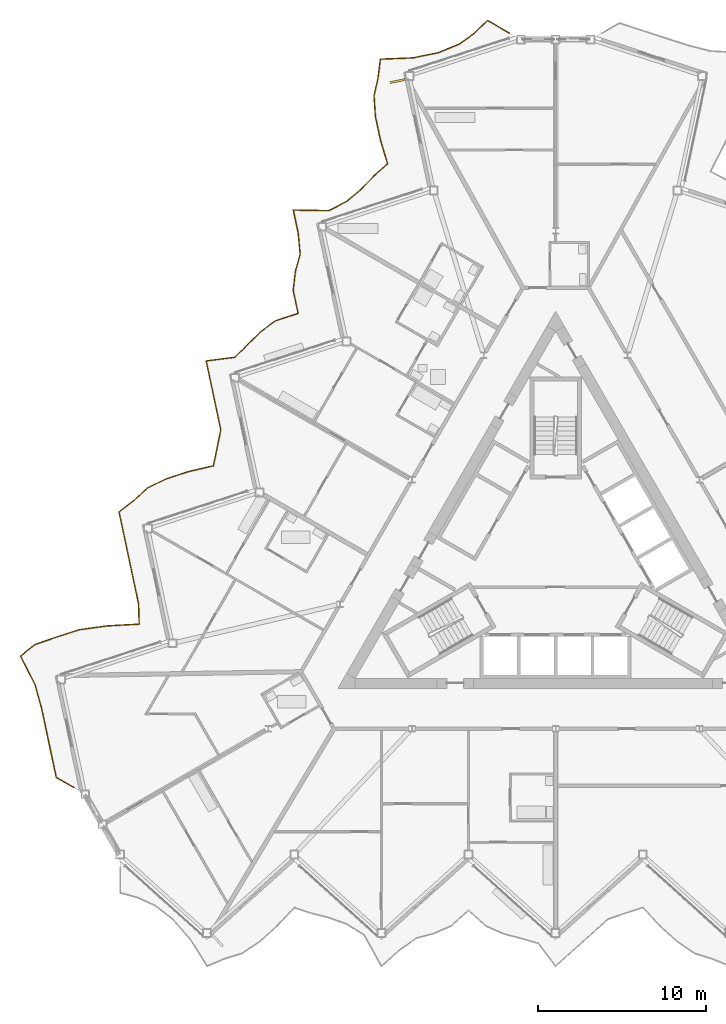
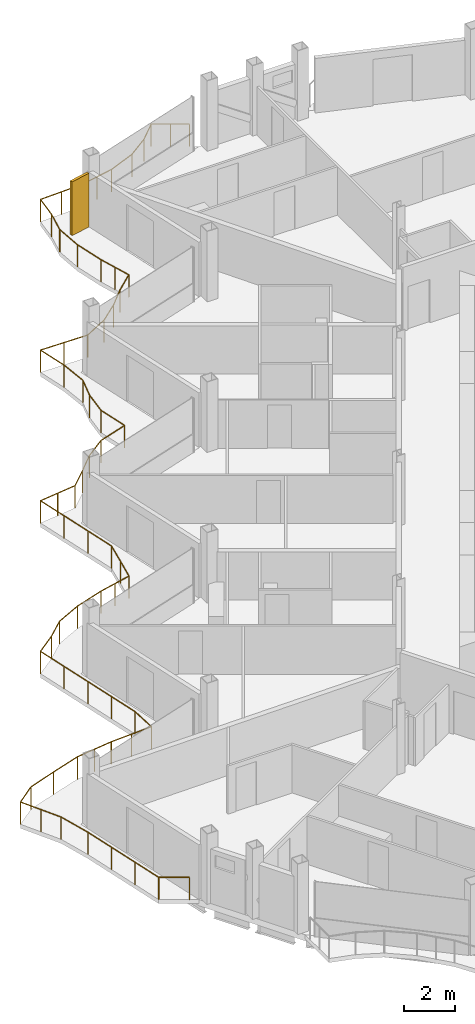
# One storey, part 24 of 26: 1 railing, 1 shading device.
"""IFC4 building model written with IfcOpenShell, lengths in metres."""

from ifc_helpers import new_model, si_unit, direction, frame, origin, origin_2d, place, context, subcontext, project, spatial, rectangle, circle, extrude, material, layer, layer_set, type_object, element, save


model = new_model("IFC4")

# Units and contexts
model_context = context("Model", 3, precision=1e-05, world=origin(), true_north=direction((0.0, 1.0)))
body_context = subcontext(model_context, "Body", "Model", "MODEL_VIEW")
ifc_project = project(units=[si_unit("LENGTHUNIT", "METRE"), si_unit("AREAUNIT", "SQUARE_METRE"), si_unit("VOLUMEUNIT", "CUBIC_METRE"), si_unit("PLANEANGLEUNIT", "RADIAN"), si_unit("MASSUNIT", "GRAM", prefix="KILO")], contexts=[model_context])

# Site, building, storey
site_placement = place(None, origin())
site = spatial("IfcSite", under=ifc_project, at=site_placement, CompositionType="ELEMENT")
building_placement = place(site_placement, origin())
building = spatial("IfcBuilding", under=site, at=building_placement, Name="Cormorant Prow Tower", CompositionType="ELEMENT")
storey_placement = place(building_placement, frame((0.0, 0.0, 388.199951171875)))
storey = spatial("IfcBuildingStorey", under=building, at=storey_placement, Name="L88", CompositionType="ELEMENT", Elevation=388.199951171875)

# Railing
ifc_material_1 = material(Name="Aluminium 6063-T6", Category="aluminium")
railing_type = type_object("IfcRailingType", Name="Balcony guard 1100", PredefinedType="GUARDRAIL", material=ifc_material_1)
railing_placement = place(storey_placement, frame((-2.752685546875, 31.611572265625, 0.0)))
element("IfcRailing", 1, at=railing_placement, inside=storey, type_object=railing_type, Name="Balcony guard WNW", PredefinedType="GUARDRAIL", context=body_context, shape_type="SweptSolid", body=[
    extrude(circle(Radius=0.02392578125, at=origin_2d()), frame((0.0, 0.0, 1.076171875), z_axis=(-0.866030456496, 0.499991248344, 0.0), x_axis=(-0.499991248344, -0.866030456496, 0.0)), (0.0, 0.0, 1.0), 1.52001953125),
    extrude(circle(Radius=0.02392578125, at=origin_2d()), frame((-1.31640625, 0.760009765625, 1.076171875), z_axis=(-0.710157290995, -0.704043054114, 0.0), x_axis=(0.704043054114, -0.710157290995, 0.0)), (0.0, 0.0, 1.0), 1.078125),
    extrude(circle(Radius=0.02392578125, at=origin_2d()), frame((-2.08203125, 0.0009765625, 1.076171875), z_axis=(-0.81488585966, -0.579621458993, 0.0), x_axis=(0.579621458993, -0.81488585966, 0.0)), (0.0, 0.0, 1.0), 1.1435546875),
    extrude(circle(Radius=0.02392578125, at=origin_2d()), frame((-3.013916015625, -0.661865234375, 1.076171875), z_axis=(-0.925200391586, -0.379478899821, 0.0), x_axis=(0.379478899821, -0.925200391586, 0.0)), (0.0, 0.0, 1.0), 1.314453125),
    extrude(circle(Radius=0.02392578125, at=origin_2d()), frame((-4.22998046875, -1.16064453125, 1.076171875), z_axis=(-0.979535760735, -0.201270200081, 0.0), x_axis=(0.201270200081, -0.979535760735, 0.0)), (0.0, 0.0, 1.0), 1.56591796875),
    extrude(circle(Radius=0.02392578125, at=origin_2d()), frame((-5.763916015625, -1.475830078125, 1.076171875), z_axis=(-0.999226169607, -0.039332708695, 0.0), x_axis=(0.039332708695, -0.999226169607, 0.0)), (0.0, 0.0, 1.0), 1.948974609375),
    extrude(circle(Radius=0.02392578125, at=origin_2d()), frame((-7.71142578125, -1.552490234375, 1.076171875), z_axis=(-0.120976497964, -0.992655371688, 0.0), x_axis=(0.992655371688, -0.120976497964, 0.0)), (0.0, 0.0, 1.0), 1.130126953125),
    extrude(circle(Radius=0.02392578125, at=origin_2d()), frame((-7.84814453125, -2.67431640625, 1.076171875), z_axis=(-0.223269557457, -0.974756741302, 0.0), x_axis=(0.974756741302, -0.223269557457, 0.0)), (0.0, 0.0, 1.0), 1.087890625),
    extrude(circle(Radius=0.02392578125, at=origin_2d()), frame((-8.091064453125, -3.73486328125, 1.076171875), z_axis=(0.066700231917, -0.9977730599, 0.0), x_axis=(0.9977730599, 0.066700231917, 0.0)), (0.0, 0.0, 1.0), 1.251708984375),
    extrude(circle(Radius=0.02392578125, at=origin_2d()), frame((-8.007568359375, -4.98388671875, 1.076171875), z_axis=(0.20777738218, -0.978176139279, 0.0), x_axis=(0.978176139279, 0.20777738218, 0.0)), (0.0, 0.0, 1.0), 1.3994140625),
    extrude(circle(Radius=0.02392578125, at=origin_2d()), frame((-7.716796875, -6.352783203125, 1.076171875), z_axis=(0.286134937078, -0.958189332952, 0.0), x_axis=(0.958189332952, 0.286134937078, 0.0)), (0.0, 0.0, 1.0), 1.514404296875),
    extrude(circle(Radius=0.02392578125, at=origin_2d()), frame((-7.283447265625, -7.803955078125, 1.076171875), z_axis=(-0.747433901023, -0.664336182668, 0.0), x_axis=(0.664336182668, -0.747433901023, 0.0)), (0.0, 0.0, 1.0), 1.095947265625),
    extrude(circle(Radius=0.02392578125, at=origin_2d()), frame((-8.1025390625, -8.531982421875, 1.076171875), z_axis=(-0.694232543676, -0.719750773047, 0.0), x_axis=(0.719750773047, -0.694232543676, 0.0)), (0.0, 0.0, 1.0), 1.071533203125),
    extrude(circle(Radius=0.02392578125, at=origin_2d()), frame((-8.846435546875, -9.30322265625, 1.076171875), z_axis=(-0.762042946586, -0.647526484059, 0.0), x_axis=(0.647526484059, -0.762042946586, 0.0)), (0.0, 0.0, 1.0), 1.104248046875),
    extrude(circle(Radius=0.02392578125, at=origin_2d()), frame((-9.68798828125, -10.018310546875, 1.076171875), z_axis=(-0.883254828522, -0.468893279855, 0.0), x_axis=(0.468893279855, -0.883254828522, 0.0)), (0.0, 0.0, 1.0), 1.226806640625),
    extrude(circle(Radius=0.02392578125, at=origin_2d()), frame((-10.771484375, -10.593505859375, 1.076171875), z_axis=(-0.999870634012, 0.016084627427, 0.0), x_axis=(-0.016084627427, -0.999870634012, 0.0)), (0.0, 0.0, 1.0), 2.14013671875),
    extrude(circle(Radius=0.02392578125, at=origin_2d()), frame((-12.911376953125, -10.55908203125, 1.076171875), z_axis=(0.207944297815, -0.978140669335, 0.0), x_axis=(0.978140669335, 0.207944297815, 0.0)), (0.0, 0.0, 1.0), 1.3994140625),
    extrude(circle(Radius=0.02392578125, at=origin_2d()), frame((-12.620361328125, -11.927978515625, 1.076171875), z_axis=(0.093969123422, -0.995575112105, 0.0), x_axis=(0.995575112105, 0.093969123422, 0.0)), (0.0, 0.0, 1.0), 1.275634765625),
    extrude(circle(Radius=0.02392578125, at=origin_2d()), frame((-12.50048828125, -13.197998046875, 1.076171875), z_axis=(-0.265768857958, -0.964036780491, 0.0), x_axis=(0.964036780491, -0.265768857958, 0.0)), (0.0, 0.0, 1.0), 1.07470703125),
    extrude(circle(Radius=0.02392578125, at=origin_2d()), frame((-12.7861328125, -14.234130859375, 1.076171875), z_axis=(-0.115278367878, -0.993333226012, 0.0), x_axis=(0.993333226012, -0.115278367878, 0.0)), (0.0, 0.0, 1.0), 1.133056640625),
    extrude(circle(Radius=0.02392578125, at=origin_2d()), frame((-12.916748046875, -15.359619140625, 1.076171875), z_axis=(0.207979786632, -0.978133124044, 0.0), x_axis=(0.978133124044, 0.207979786632, 0.0)), (0.0, 0.0, 1.0), 1.399169921875),
    extrude(circle(Radius=0.02392578125, at=origin_2d()), frame((-12.625732421875, -16.728271484375, 1.076171875), z_axis=(-0.951028941009, -0.309101849499, 0.0), x_axis=(0.309101849499, -0.951028941009, 0.0)), (0.0, 0.0, 1.0), 1.399658203125),
    extrude(circle(Radius=0.02392578125, at=origin_2d()), frame((-13.956787109375, -17.160888671875, 1.076171875), z_axis=(-0.807107706022, -0.590404226678, 0.0), x_axis=(0.590404226678, -0.807107706022, 0.0)), (0.0, 0.0, 1.0), 1.13671875),
    extrude(circle(Radius=0.02392578125, at=origin_2d()), frame((-14.874267578125, -17.83203125, 1.076171875), z_axis=(-0.702777909554, -0.711409312451, 0.0), x_axis=(0.711409312451, -0.702777909554, 0.0)), (0.0, 0.0, 1.0), 1.074951171875),
    extrude(circle(Radius=0.02392578125, at=origin_2d()), frame((-15.629638671875, -18.5966796875, 1.076171875), z_axis=(-0.71973960261, -0.694244124523, 0.0), x_axis=(0.694244124523, -0.71973960261, 0.0)), (0.0, 0.0, 1.0), 1.08203125),
    extrude(circle(Radius=0.02392578125, at=origin_2d()), frame((-16.408447265625, -19.347900390625, 1.076171875), z_axis=(-0.991921629668, -0.126852199808, 0.0), x_axis=(0.126852199808, -0.991921629668, 0.0)), (0.0, 0.0, 1.0), 1.716796875),
    extrude(circle(Radius=0.02392578125, at=origin_2d()), frame((-18.111328125, -19.565673828125, 1.076171875), z_axis=(0.207944297815, -0.978140669335, 0.0), x_axis=(0.978140669335, 0.207944297815, 0.0)), (0.0, 0.0, 1.0), 1.3994140625),
    extrude(circle(Radius=0.02392578125, at=origin_2d()), frame((-17.8203125, -20.9345703125, 1.076171875), z_axis=(0.207944297815, -0.978140669335, 0.0), x_axis=(0.978140669335, 0.207944297815, 0.0)), (0.0, 0.0, 1.0), 1.3994140625),
    extrude(circle(Radius=0.02392578125, at=origin_2d()), frame((-17.529296875, -22.303466796875, 1.076171875), z_axis=(0.20777738218, -0.978176139279, 0.0), x_axis=(0.978176139279, 0.20777738218, 0.0)), (0.0, 0.0, 1.0), 1.3994140625),
    extrude(circle(Radius=0.02392578125, at=origin_2d()), frame((-17.238525390625, -23.67236328125, 1.076171875), z_axis=(-0.195902319336, -0.980623414609, 0.0), x_axis=(0.980623414609, -0.195902319336, 0.0)), (0.0, 0.0, 1.0), 1.097900390625),
    extrude(circle(Radius=0.02392578125, at=origin_2d()), frame((-17.45361328125, -24.7490234375, 1.076171875), z_axis=(-0.203998769603, -0.978971144621, 0.0), x_axis=(0.978971144621, -0.203998769603, 0.0)), (0.0, 0.0, 1.0), 1.094970703125),
    extrude(circle(Radius=0.02392578125, at=origin_2d()), frame((-17.677001953125, -25.821044921875, 1.076171875), z_axis=(-0.973671491133, -0.227955757452, 0.0), x_axis=(0.227955757452, -0.973671491133, 0.0)), (0.0, 0.0, 1.0), 1.519775390625),
    extrude(circle(Radius=0.02392578125, at=origin_2d()), frame((-19.15673828125, -26.16748046875, 1.076171875), z_axis=(-0.951063554534, -0.308995332064, 0.0), x_axis=(0.308995332064, -0.951063554534, 0.0)), (0.0, 0.0, 1.0), 1.399169921875),
    extrude(circle(Radius=0.02392578125, at=origin_2d()), frame((-20.487548828125, -26.599853515625, 1.076171875), z_axis=(-0.899763253088, -0.43637837755, 0.0), x_axis=(0.43637837755, -0.899763253088, 0.0)), (0.0, 0.0, 1.0), 1.256591796875),
    extrude(circle(Radius=0.02392578125, at=origin_2d()), frame((-21.6181640625, -27.148193359375, 1.076171875), z_axis=(-0.733934542927, -0.679220204866, 0.0), x_axis=(0.679220204866, -0.733934542927, 0.0)), (0.0, 0.0, 1.0), 1.0888671875),
    extrude(circle(Radius=0.02392578125, at=origin_2d()), frame((-22.417236328125, -27.8876953125, 1.076171875), z_axis=(-0.794056234452, -0.607844302867, 0.0), x_axis=(0.607844302867, -0.794056234452, 0.0)), (0.0, 0.0, 1.0), 1.126220703125),
    extrude(circle(Radius=0.02392578125, at=origin_2d()), frame((-23.3115234375, -28.572265625, 1.076171875), z_axis=(0.207944297815, -0.978140669335, 0.0), x_axis=(0.978140669335, 0.207944297815, 0.0)), (0.0, 0.0, 1.0), 1.3994140625),
    extrude(circle(Radius=0.02392578125, at=origin_2d()), frame((-23.0205078125, -29.941162109375, 1.076171875), z_axis=(0.207944297815, -0.978140669335, 0.0), x_axis=(0.978140669335, 0.207944297815, 0.0)), (0.0, 0.0, 1.0), 1.3994140625),
    extrude(circle(Radius=0.02392578125, at=origin_2d()), frame((-22.7294921875, -31.31005859375, 1.076171875), z_axis=(0.207944297815, -0.978140669335, 0.0), x_axis=(0.978140669335, 0.207944297815, 0.0)), (0.0, 0.0, 1.0), 1.3994140625),
    extrude(circle(Radius=0.02392578125, at=origin_2d()), frame((-22.4384765625, -32.678955078125, 1.076171875), z_axis=(0.207944297815, -0.978140669335, 0.0), x_axis=(0.978140669335, 0.207944297815, 0.0)), (0.0, 0.0, 1.0), 1.3994140625),
    extrude(circle(Radius=0.02392578125, at=origin_2d()), frame((-22.1474609375, -34.0478515625, 1.076171875), z_axis=(0.032890054051, -0.999458975819, 0.0), x_axis=(0.999458975819, 0.032890054051, 0.0)), (0.0, 0.0, 1.0), 1.224853515625),
    extrude(circle(Radius=0.02392578125, at=origin_2d()), frame((-22.107177734375, -35.27197265625, 1.076171875), z_axis=(-0.998466276109, -0.055363304387, 0.0), x_axis=(0.055363304387, -0.998466276109, 0.0)), (0.0, 0.0, 1.0), 1.900634765625),
    extrude(circle(Radius=0.02392578125, at=origin_2d()), frame((-24.0048828125, -35.377197265625, 1.076171875), z_axis=(-0.990826668367, -0.13513886655, 0.0), x_axis=(0.13513886655, -0.990826668367, 0.0)), (0.0, 0.0, 1.0), 1.6982421875),
    extrude(circle(Radius=0.02392578125, at=origin_2d()), frame((-25.6875, -35.606689453125, 1.076171875), z_axis=(-0.951080208938, -0.308944066403, 0.0), x_axis=(0.308944066403, -0.951080208938, 0.0)), (0.0, 0.0, 1.0), 1.3994140625),
    extrude(circle(Radius=0.02392578125, at=origin_2d()), frame((-27.0185546875, -36.0390625, 1.076171875), z_axis=(-0.945592977714, -0.325351994767, 0.0), x_axis=(0.325351994767, -0.945592977714, 0.0)), (0.0, 0.0, 1.0), 1.37841796875),
    extrude(circle(Radius=0.02392578125, at=origin_2d()), frame((-28.322021484375, -36.487548828125, 1.076171875), z_axis=(-0.781593284151, -0.62378837611, 0.0), x_axis=(0.62378837611, -0.781593284151, 0.0)), (0.0, 0.0, 1.0), 1.116943359375),
    extrude(circle(Radius=0.02392578125, at=origin_2d()), frame((-29.195068359375, -37.184326171875, 1.076171875), z_axis=(0.456008801075, -0.889975265579, 0.0), x_axis=(0.889975265579, 0.456008801075, 0.0)), (0.0, 0.0, 1.0), 1.916259765625),
    extrude(circle(Radius=0.02392578125, at=origin_2d()), frame((-28.3212890625, -38.8896484375, 1.076171875), z_axis=(0.264792186172, -0.964305500421, 0.0), x_axis=(0.964305500421, 0.264792186172, 0.0)), (0.0, 0.0, 1.0), 1.479736328125),
    extrude(circle(Radius=0.02392578125, at=origin_2d()), frame((-27.929443359375, -40.316650390625, 1.076171875), z_axis=(0.207908820833, -0.978148210764, 0.0), x_axis=(0.978148210764, 0.207908820833, 0.0)), (0.0, 0.0, 1.0), 1.399658203125),
    extrude(circle(Radius=0.02392578125, at=origin_2d()), frame((-27.638427734375, -41.685791015625, 1.076171875), z_axis=(0.207944297815, -0.978140669335, 0.0), x_axis=(0.978140669335, 0.207944297815, 0.0)), (0.0, 0.0, 1.0), 1.3994140625),
    extrude(circle(Radius=0.02392578125, at=origin_2d()), frame((-27.347412109375, -43.0546875, 1.076171875), z_axis=(0.207812845083, -0.978168605823, 0.0), x_axis=(0.978168605823, 0.207812845083, 0.0)), (0.0, 0.0, 1.0), 1.399169921875),
    extrude(circle(Radius=0.02392578125, at=origin_2d()), frame((-27.056640625, -44.42333984375, 1.076171875), z_axis=(0.866005645448, -0.500034220881, 0.0), x_axis=(0.500034220881, 0.866005645448, 0.0)), (0.0, 0.0, 1.0), 1.22021484375),
    extrude(circle(Radius=0.02099609375, at=origin_2d()), origin(), (0.0, 0.0, 1.0), 1.052001953125),
    extrude(circle(Radius=0.02099609375, at=origin_2d()), frame((-0.658203125, 0.3798828125, 0.0)), (0.0, 0.0, 1.0), 1.052001953125),
    extrude(circle(Radius=0.02099609375, at=origin_2d()), frame((-1.31640625, 0.760009765625, 0.0)), (0.0, 0.0, 1.0), 1.052001953125),
    extrude(circle(Radius=0.02099609375, at=origin_2d()), frame((-2.08203125, 0.0009765625, 0.0)), (0.0, 0.0, 1.0), 1.052001953125),
    extrude(circle(Radius=0.02099609375, at=origin_2d()), frame((-3.013916015625, -0.661865234375, 0.0)), (0.0, 0.0, 1.0), 1.052001953125),
    extrude(circle(Radius=0.02099609375, at=origin_2d()), frame((-4.22998046875, -1.16064453125, 0.0)), (0.0, 0.0, 1.0), 1.052001953125),
    extrude(circle(Radius=0.02099609375, at=origin_2d()), frame((-4.9970703125, -1.318359375, 0.0)), (0.0, 0.0, 1.0), 1.052001953125),
    extrude(circle(Radius=0.02099609375, at=origin_2d()), frame((-5.763916015625, -1.475830078125, 0.0)), (0.0, 0.0, 1.0), 1.052001953125),
    extrude(circle(Radius=0.02099609375, at=origin_2d()), frame((-6.73779296875, -1.51416015625, 0.0)), (0.0, 0.0, 1.0), 1.052001953125),
    extrude(circle(Radius=0.02099609375, at=origin_2d()), frame((-7.71142578125, -1.552490234375, 0.0)), (0.0, 0.0, 1.0), 1.052001953125),
    extrude(circle(Radius=0.02099609375, at=origin_2d()), frame((-7.84814453125, -2.67431640625, 0.0)), (0.0, 0.0, 1.0), 1.052001953125),
    extrude(circle(Radius=0.02099609375, at=origin_2d()), frame((-8.091064453125, -3.73486328125, 0.0)), (0.0, 0.0, 1.0), 1.052001953125),
    extrude(circle(Radius=0.02099609375, at=origin_2d()), frame((-8.007568359375, -4.98388671875, 0.0)), (0.0, 0.0, 1.0), 1.052001953125),
    extrude(circle(Radius=0.02099609375, at=origin_2d()), frame((-7.716796875, -6.352783203125, 0.0)), (0.0, 0.0, 1.0), 1.052001953125),
    extrude(circle(Radius=0.02099609375, at=origin_2d()), frame((-7.5, -7.078369140625, 0.0)), (0.0, 0.0, 1.0), 1.052001953125),
    extrude(circle(Radius=0.02099609375, at=origin_2d()), frame((-7.283447265625, -7.803955078125, 0.0)), (0.0, 0.0, 1.0), 1.052001953125),
    extrude(circle(Radius=0.02099609375, at=origin_2d()), frame((-8.1025390625, -8.531982421875, 0.0)), (0.0, 0.0, 1.0), 1.052001953125),
    extrude(circle(Radius=0.02099609375, at=origin_2d()), frame((-8.846435546875, -9.30322265625, 0.0)), (0.0, 0.0, 1.0), 1.052001953125),
    extrude(circle(Radius=0.02099609375, at=origin_2d()), frame((-9.68798828125, -10.018310546875, 0.0)), (0.0, 0.0, 1.0), 1.052001953125),
    extrude(circle(Radius=0.02099609375, at=origin_2d()), frame((-10.771484375, -10.593505859375, 0.0)), (0.0, 0.0, 1.0), 1.052001953125),
    extrude(circle(Radius=0.02099609375, at=origin_2d()), frame((-11.84130859375, -10.576171875, 0.0)), (0.0, 0.0, 1.0), 1.052001953125),
    extrude(circle(Radius=0.02099609375, at=origin_2d()), frame((-12.911376953125, -10.55908203125, 0.0)), (0.0, 0.0, 1.0), 1.052001953125),
    extrude(circle(Radius=0.02099609375, at=origin_2d()), frame((-12.620361328125, -11.927978515625, 0.0)), (0.0, 0.0, 1.0), 1.052001953125),
    extrude(circle(Radius=0.02099609375, at=origin_2d()), frame((-12.50048828125, -13.197998046875, 0.0)), (0.0, 0.0, 1.0), 1.052001953125),
    extrude(circle(Radius=0.02099609375, at=origin_2d()), frame((-12.7861328125, -14.234130859375, 0.0)), (0.0, 0.0, 1.0), 1.052001953125),
    extrude(circle(Radius=0.02099609375, at=origin_2d()), frame((-12.916748046875, -15.359619140625, 0.0)), (0.0, 0.0, 1.0), 1.052001953125),
    extrude(circle(Radius=0.02099609375, at=origin_2d()), frame((-12.625732421875, -16.728271484375, 0.0)), (0.0, 0.0, 1.0), 1.052001953125),
    extrude(circle(Radius=0.02099609375, at=origin_2d()), frame((-13.956787109375, -17.160888671875, 0.0)), (0.0, 0.0, 1.0), 1.052001953125),
    extrude(circle(Radius=0.02099609375, at=origin_2d()), frame((-14.874267578125, -17.83203125, 0.0)), (0.0, 0.0, 1.0), 1.052001953125),
    extrude(circle(Radius=0.02099609375, at=origin_2d()), frame((-15.629638671875, -18.5966796875, 0.0)), (0.0, 0.0, 1.0), 1.052001953125),
    extrude(circle(Radius=0.02099609375, at=origin_2d()), frame((-16.408447265625, -19.347900390625, 0.0)), (0.0, 0.0, 1.0), 1.052001953125),
    extrude(circle(Radius=0.02099609375, at=origin_2d()), frame((-17.259765625, -19.456787109375, 0.0)), (0.0, 0.0, 1.0), 1.052001953125),
    extrude(circle(Radius=0.02099609375, at=origin_2d()), frame((-18.111328125, -19.565673828125, 0.0)), (0.0, 0.0, 1.0), 1.052001953125),
    extrude(circle(Radius=0.02099609375, at=origin_2d()), frame((-17.8203125, -20.9345703125, 0.0)), (0.0, 0.0, 1.0), 1.052001953125),
    extrude(circle(Radius=0.02099609375, at=origin_2d()), frame((-17.529296875, -22.303466796875, 0.0)), (0.0, 0.0, 1.0), 1.052001953125),
    extrude(circle(Radius=0.02099609375, at=origin_2d()), frame((-17.238525390625, -23.67236328125, 0.0)), (0.0, 0.0, 1.0), 1.052001953125),
    extrude(circle(Radius=0.02099609375, at=origin_2d()), frame((-17.45361328125, -24.7490234375, 0.0)), (0.0, 0.0, 1.0), 1.052001953125),
    extrude(circle(Radius=0.02099609375, at=origin_2d()), frame((-17.677001953125, -25.821044921875, 0.0)), (0.0, 0.0, 1.0), 1.052001953125),
    extrude(circle(Radius=0.02099609375, at=origin_2d()), frame((-18.4169921875, -25.994140625, 0.0)), (0.0, 0.0, 1.0), 1.052001953125),
    extrude(circle(Radius=0.02099609375, at=origin_2d()), frame((-19.15673828125, -26.16748046875, 0.0)), (0.0, 0.0, 1.0), 1.052001953125),
    extrude(circle(Radius=0.02099609375, at=origin_2d()), frame((-20.487548828125, -26.599853515625, 0.0)), (0.0, 0.0, 1.0), 1.052001953125),
    extrude(circle(Radius=0.02099609375, at=origin_2d()), frame((-21.6181640625, -27.148193359375, 0.0)), (0.0, 0.0, 1.0), 1.052001953125),
    extrude(circle(Radius=0.02099609375, at=origin_2d()), frame((-22.417236328125, -27.8876953125, 0.0)), (0.0, 0.0, 1.0), 1.052001953125),
    extrude(circle(Radius=0.02099609375, at=origin_2d()), frame((-23.3115234375, -28.572265625, 0.0)), (0.0, 0.0, 1.0), 1.052001953125),
    extrude(circle(Radius=0.02099609375, at=origin_2d()), frame((-23.0205078125, -29.941162109375, 0.0)), (0.0, 0.0, 1.0), 1.052001953125),
    extrude(circle(Radius=0.02099609375, at=origin_2d()), frame((-22.7294921875, -31.31005859375, 0.0)), (0.0, 0.0, 1.0), 1.052001953125),
    extrude(circle(Radius=0.02099609375, at=origin_2d()), frame((-22.4384765625, -32.678955078125, 0.0)), (0.0, 0.0, 1.0), 1.052001953125),
    extrude(circle(Radius=0.02099609375, at=origin_2d()), frame((-22.1474609375, -34.0478515625, 0.0)), (0.0, 0.0, 1.0), 1.052001953125),
    extrude(circle(Radius=0.02099609375, at=origin_2d()), frame((-22.107177734375, -35.27197265625, 0.0)), (0.0, 0.0, 1.0), 1.052001953125),
    extrude(circle(Radius=0.02099609375, at=origin_2d()), frame((-23.05615234375, -35.32470703125, 0.0)), (0.0, 0.0, 1.0), 1.052001953125),
    extrude(circle(Radius=0.02099609375, at=origin_2d()), frame((-24.0048828125, -35.377197265625, 0.0)), (0.0, 0.0, 1.0), 1.052001953125),
    extrude(circle(Radius=0.02099609375, at=origin_2d()), frame((-24.84619140625, -35.491943359375, 0.0)), (0.0, 0.0, 1.0), 1.052001953125),
    extrude(circle(Radius=0.02099609375, at=origin_2d()), frame((-25.6875, -35.606689453125, 0.0)), (0.0, 0.0, 1.0), 1.052001953125),
    extrude(circle(Radius=0.02099609375, at=origin_2d()), frame((-27.0185546875, -36.0390625, 0.0)), (0.0, 0.0, 1.0), 1.052001953125),
    extrude(circle(Radius=0.02099609375, at=origin_2d()), frame((-28.322021484375, -36.487548828125, 0.0)), (0.0, 0.0, 1.0), 1.052001953125),
    extrude(circle(Radius=0.02099609375, at=origin_2d()), frame((-29.195068359375, -37.184326171875, 0.0)), (0.0, 0.0, 1.0), 1.052001953125),
    extrude(circle(Radius=0.02099609375, at=origin_2d()), frame((-28.75830078125, -38.037109375, 0.0)), (0.0, 0.0, 1.0), 1.052001953125),
    extrude(circle(Radius=0.02099609375, at=origin_2d()), frame((-28.3212890625, -38.8896484375, 0.0)), (0.0, 0.0, 1.0), 1.052001953125),
    extrude(circle(Radius=0.02099609375, at=origin_2d()), frame((-27.929443359375, -40.316650390625, 0.0)), (0.0, 0.0, 1.0), 1.052001953125),
    extrude(circle(Radius=0.02099609375, at=origin_2d()), frame((-27.638427734375, -41.685791015625, 0.0)), (0.0, 0.0, 1.0), 1.052001953125),
    extrude(circle(Radius=0.02099609375, at=origin_2d()), frame((-27.347412109375, -43.0546875, 0.0)), (0.0, 0.0, 1.0), 1.052001953125),
    extrude(circle(Radius=0.02099609375, at=origin_2d()), frame((-27.056640625, -44.42333984375, 0.0)), (0.0, 0.0, 1.0), 1.052001953125),
    extrude(circle(Radius=0.02099609375, at=origin_2d()), frame((-26.0, -45.033447265625, 0.0)), (0.0, 0.0, 1.0), 1.052001953125),
])

# Shading device
ifc_material_2 = material(Name="Terracotta", Category="masonry")
ifc_layer = layer(ifc_material_2, 0.1201171875)
ifc_layer_set = layer_set([ifc_layer], Name="Terracotta")
shading_device_type = type_object("IfcShadingDeviceType", Name="Terracotta baguette fin 120x900x2600", PredefinedType="USERDEFINED", material=ifc_layer_set)
shading_device_placement = place(storey_placement, frame((-9.429931640625, 28.7490234375, 0.0), z_axis=(0.0, 0.0, 1.0), x_axis=(0.207911785891, -0.978147580525, 0.0)))
element("IfcShadingDevice", 2, at=shading_device_placement, inside=storey, type_object=shading_device_type, Name="Baguette fin WNW01", ObjectType="BAGUETTE", PredefinedType="USERDEFINED", context=body_context, shape_type="SweptSolid", body=[
    extrude(rectangle(XDim=0.1201171875, YDim=0.89990234375, at=origin_2d()), origin(), (0.0, 0.0, 1.0), 2.60009765625),
])

save(model, "model.ifc")
